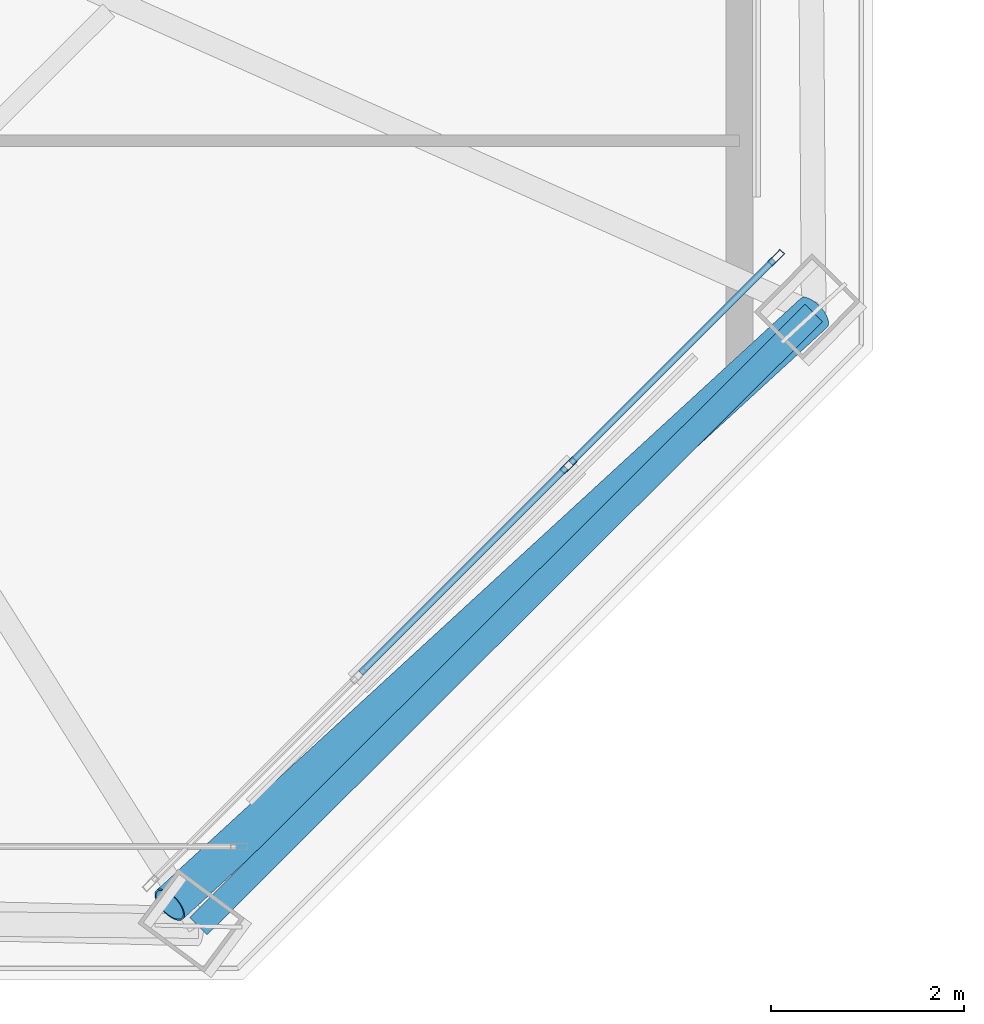
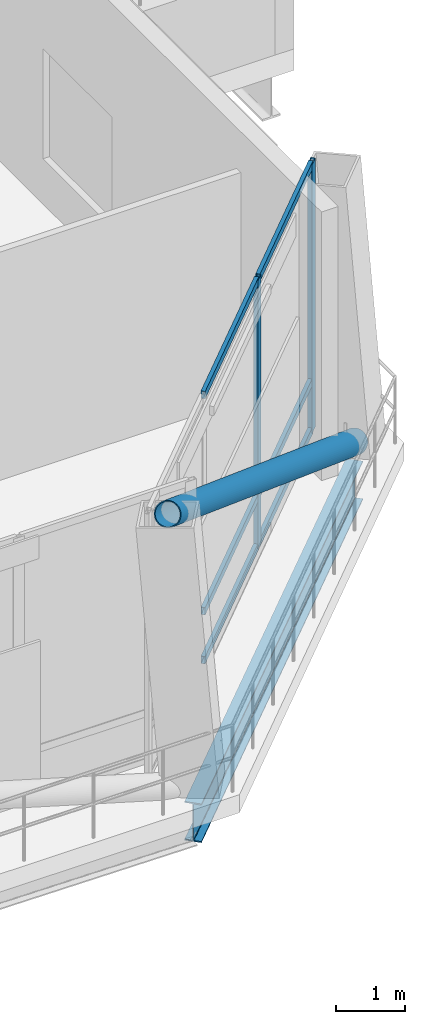
# One storey, part 15 of 34: 9 members, 1 beam, 1 element without a shape of its own.
"""IFC4 building model written with IfcOpenShell, lengths in metres."""

from ifc_helpers import new_model, si_unit, direction, frame, origin, origin_2d, place, context, subcontext, project, spatial, hollow_rectangle, hollow_circle, i_section, extrude, material, layer, layer_set, material_profile, profile_set, type_object, element, aggregate, save


model = new_model("IFC4")

# Units and contexts
model_context = context("Model", 3, precision=1e-05, world=origin(), true_north=direction((0.0, 1.0)))
body_context = subcontext(model_context, "Body", "Model", "MODEL_VIEW")
ifc_project = project(units=[si_unit("LENGTHUNIT", "METRE"), si_unit("AREAUNIT", "SQUARE_METRE"), si_unit("VOLUMEUNIT", "CUBIC_METRE"), si_unit("PLANEANGLEUNIT", "RADIAN"), si_unit("MASSUNIT", "GRAM", prefix="KILO")], contexts=[model_context])

# Site, building, storey
site_placement = place(None, origin())
site = spatial("IfcSite", under=ifc_project, at=site_placement, CompositionType="ELEMENT")
building_placement = place(site_placement, origin())
building = spatial("IfcBuilding", under=site, at=building_placement, Name="Caelvoria Tower", CompositionType="ELEMENT")
storey_placement = place(building_placement, frame((0.0, 0.0, 172.0)))
storey = spatial("IfcBuildingStorey", under=building, at=storey_placement, Name="L45", CompositionType="ELEMENT", Elevation=172.0)

# Curtain wall, members
ifc_material_1 = material(Name="Anodised Bronze Aluminium and Low-E Glass", Category="aluminium")
ifc_layer = layer(ifc_material_1, 0.2099609375, Name="Anodised Bronze Aluminium and Low-E Glass")
ifc_layer_set = layer_set([ifc_layer], Name="CW System 3 Sky Lobby Double-Height Acoustic Facade - Anodised Bronze Aluminium and Low-E Glass")
curtain_wall_type = type_object("IfcCurtainWallType", Name="CW System 3 Sky Lobby Double-Height Acoustic Facade", PredefinedType="NOTDEFINED", material=ifc_layer_set)
curtain_wall_placement = place(storey_placement, origin())
curtain_wall = element("IfcCurtainWall", 1, at=curtain_wall_placement, inside=storey, type_object=curtain_wall_type, Name="CW-03 Curtain Wall L45-E1", PredefinedType="NOTDEFINED")
ifc_material_2 = material(Name="Anodised Bronze Architectural Aluminium", Category="aluminium")
ifc_material_profile_1 = material_profile(ifc_material_2, hollow_rectangle(XDim=0.070068359375, YDim=0.179931640625, WallThickness=0.00390625, at=origin_2d()), Name="Anodised Bronze Architectural Aluminium")
ifc_profile_set_1 = profile_set([ifc_material_profile_1], Name="CW_MULL_70X180 - Anodised Bronze Architectural Aluminium")
member_type_1 = type_object("IfcMemberType", Name="Curtain Wall Mullion 70x180 Bronze Aluminium", PredefinedType="MULLION", material=ifc_profile_set_1)
member_1_placement = place(storey_placement, frame((66.870849609375, 15.982421875, 0.0), z_axis=(0.0, 0.0, 1.0), x_axis=(-0.707106781187, 0.707106781187, 0.0)))
member_1 = element("IfcMember", 2, at=member_1_placement, type_object=member_type_1, Name="CW-03 mullion 3", PredefinedType="MULLION", context=body_context, shape_type="SweptSolid", body=[
    extrude(hollow_rectangle(XDim=0.070068359375, YDim=0.179931640625, WallThickness=0.00390625, at=origin_2d()), origin(), (0.0, 0.0, 1.0), 4.760009765625),
])
member_2_placement = place(storey_placement, frame((69.01953125, 18.131103515625, 0.0), z_axis=(0.0, 0.0, 1.0), x_axis=(-0.707106781187, 0.707106781187, 0.0)))
member_2 = element("IfcMember", 3, at=member_2_placement, type_object=member_type_1, Name="CW-03 mullion 4", PredefinedType="MULLION", context=body_context, shape_type="SweptSolid", body=[
    extrude(hollow_rectangle(XDim=0.070068359375, YDim=0.179931640625, WallThickness=0.00390625, at=origin_2d()), origin(), (0.0, 0.0, 1.0), 4.760009765625),
])
ifc_material_profile_2 = material_profile(ifc_material_2, hollow_rectangle(XDim=0.06494140625, YDim=0.1298828125, WallThickness=0.00341796875, at=origin_2d()), Name="Anodised Bronze Architectural Aluminium")
ifc_profile_set_2 = profile_set([ifc_material_profile_2], Name="CW_TRAN_65X130 - Anodised Bronze Architectural Aluminium")
member_type_2 = type_object("IfcMemberType", Name="Curtain Wall Transom 65x130 Bronze Aluminium", PredefinedType="USERDEFINED", material=ifc_profile_set_2)
member_3_placement = place(storey_placement, frame((64.72216796875, 13.833984375, 0.032470703125), z_axis=(0.707147420675, 0.707066139362, 0.0), x_axis=(-0.707066139362, 0.707147420675, 0.0)))
member_3 = element("IfcMember", 4, at=member_3_placement, type_object=member_type_2, Name="CW-03 transom 2.1", ObjectType="TRANSOM", PredefinedType="USERDEFINED", context=body_context, shape_type="SweptSolid", body=[
    extrude(hollow_rectangle(XDim=0.06494140625, YDim=0.1298828125, WallThickness=0.00341796875, at=origin_2d()), origin(), (0.0, 0.0, 1.0), 3.003662109375),
])
member_4_placement = place(storey_placement, frame((64.72216796875, 13.833984375, 0.89990234375), z_axis=(0.707147420675, 0.707066139362, 0.0), x_axis=(-0.707066139362, 0.707147420675, 0.0)))
member_4 = element("IfcMember", 5, at=member_4_placement, type_object=member_type_2, Name="CW-03 transom 2.2", ObjectType="TRANSOM", PredefinedType="USERDEFINED", context=body_context, shape_type="SweptSolid", body=[
    extrude(hollow_rectangle(XDim=0.06494140625, YDim=0.1298828125, WallThickness=0.00341796875, at=origin_2d()), origin(), (0.0, 0.0, 1.0), 3.003662109375),
])
member_5_placement = place(storey_placement, frame((64.72216796875, 13.833984375, 4.7275390625), z_axis=(0.707147420675, 0.707066139362, 0.0), x_axis=(-0.707066139362, 0.707147420675, 0.0)))
member_5 = element("IfcMember", 6, at=member_5_placement, type_object=member_type_2, Name="CW-03 transom 2.3", ObjectType="TRANSOM", PredefinedType="USERDEFINED", context=body_context, shape_type="SweptSolid", body=[
    extrude(hollow_rectangle(XDim=0.06494140625, YDim=0.1298828125, WallThickness=0.00341796875, at=origin_2d()), origin(), (0.0, 0.0, 1.0), 3.003662109375),
])
member_6_placement = place(storey_placement, frame((66.8955078125, 16.00732421875, 0.032470703125), z_axis=(0.707147902804, 0.707065657177, 0.0), x_axis=(-0.707065657177, 0.707147902804, 0.0)))
member_6 = element("IfcMember", 7, at=member_6_placement, type_object=member_type_2, Name="CW-03 transom 3.1", ObjectType="TRANSOM", PredefinedType="USERDEFINED", context=body_context, shape_type="SweptSolid", body=[
    extrude(hollow_rectangle(XDim=0.06494140625, YDim=0.1298828125, WallThickness=0.00341796875, at=origin_2d()), origin(), (0.0, 0.0, 1.0), 2.968505859375),
])
member_7_placement = place(storey_placement, frame((66.8955078125, 16.00732421875, 0.89990234375), z_axis=(0.707147902804, 0.707065657177, 0.0), x_axis=(-0.707065657177, 0.707147902804, 0.0)))
member_7 = element("IfcMember", 8, at=member_7_placement, type_object=member_type_2, Name="CW-03 transom 3.2", ObjectType="TRANSOM", PredefinedType="USERDEFINED", context=body_context, shape_type="SweptSolid", body=[
    extrude(hollow_rectangle(XDim=0.06494140625, YDim=0.1298828125, WallThickness=0.00341796875, at=origin_2d()), origin(), (0.0, 0.0, 1.0), 2.968505859375),
])
member_8_placement = place(storey_placement, frame((66.8955078125, 16.00732421875, 4.7275390625), z_axis=(0.707147902804, 0.707065657177, 0.0), x_axis=(-0.707065657177, 0.707147902804, 0.0)))
member_8 = element("IfcMember", 9, at=member_8_placement, type_object=member_type_2, Name="CW-03 transom 3.3", ObjectType="TRANSOM", PredefinedType="USERDEFINED", context=body_context, shape_type="SweptSolid", body=[
    extrude(hollow_rectangle(XDim=0.06494140625, YDim=0.1298828125, WallThickness=0.00341796875, at=origin_2d()), origin(), (0.0, 0.0, 1.0), 2.968505859375),
])
aggregate(curtain_wall, [member_1, member_2, member_3, member_4, member_5, member_6, member_7, member_8])

# Beam
ifc_material_3 = material(Name="Structural Steel ASTM A992 Gr.50", Category="steel")
ifc_material_profile_3 = material_profile(ifc_material_3, i_section(OverallWidth=0.25390625, OverallDepth=0.68798828125, WebThickness=0.01318359375, FlangeThickness=0.02099609375, FilletRadius=0.01904296875, at=origin_2d()), Name="Structural Steel ASTM A992 Gr.50")
ifc_profile_set_3 = profile_set([ifc_material_profile_3], Name="W690X152 - Structural Steel ASTM A992 Gr.50")
beam_type = type_object("IfcBeamType", Name="Perimeter Spandrel Girder W690X152", PredefinedType="BEAM", material=ifc_profile_set_3)
beam_placement = place(storey_placement, frame((63.04345703125, 11.216796875, -0.6640625), z_axis=(0.708355747731, 0.705855604679, 0.0), x_axis=(-0.705855604679, 0.708355747731, 0.0)))
element("IfcBeam", 10, at=beam_placement, inside=storey, type_object=beam_type, Name="Perimeter Spandrel Girder L45-02", PredefinedType="BEAM", context=body_context, shape_type="SweptSolid", body=[
    extrude(i_section(OverallWidth=0.25390625, OverallDepth=0.68798828125, WebThickness=0.01318359375, FlangeThickness=0.02099609375, FilletRadius=0.01904296875, at=origin_2d()), origin(), (0.0, 0.0, 1.0), 8.98388671875),
])

# Member
ifc_material_4 = material(Name="Structural Steel ASTM A572 Gr.50", Category="steel")
ifc_material_profile_4 = material_profile(ifc_material_4, hollow_circle(Radius=0.202880859375, WallThickness=0.01611328125, at=origin_2d()), Name="Structural Steel ASTM A572 Gr.50")
ifc_profile_set_4 = profile_set([ifc_material_profile_4], Name="CHS406X16 - Structural Steel ASTM A572 Gr.50")
member_type_3 = type_object("IfcMemberType", Name="Upper Perimeter Mega Brace CHS406X16", PredefinedType="BRACE", material=ifc_profile_set_4)
member_9_placement = place(storey_placement, frame((69.4072265625, 17.55810546875, 0.0), z_axis=(-0.651713063112, -0.598691367796, 0.465659456573), x_axis=(0.676514945151, -0.736428902874, 0.0)))
element("IfcMember", 11, at=member_9_placement, inside=storey, type_object=member_type_3, Name="Perimeter Chamfer Mega Brace L45 SE", PredefinedType="BRACE", context=body_context, shape_type="SweptSolid", body=[
    extrude(hollow_circle(Radius=0.202880859375, WallThickness=0.01611328125, at=origin_2d()), origin(), (0.0, 0.0, 1.0), 10.22216796875),
])

save(model, "model.ifc")
